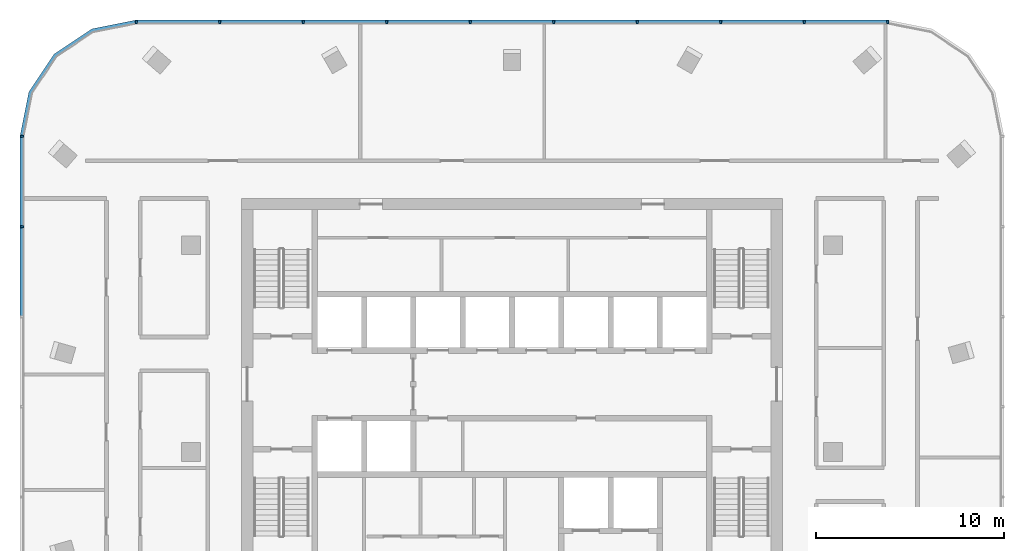
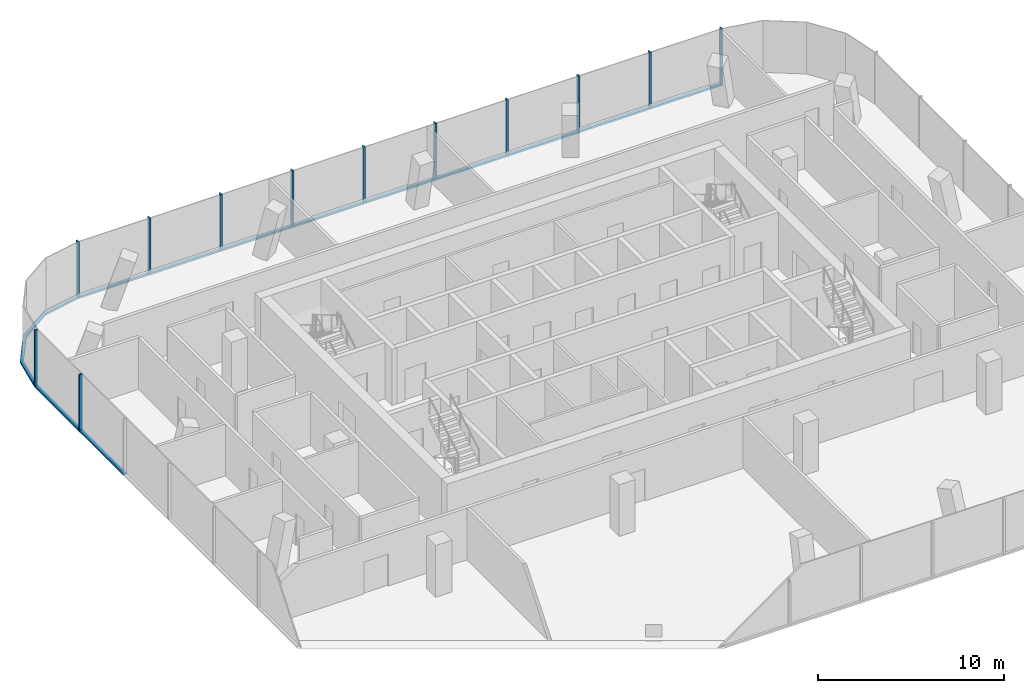
# One storey, part 4 of 11: 24 members, 3 elements without a shape of their own.
"""IFC4 building model written with IfcOpenShell, lengths in metres."""

from ifc_helpers import new_model, si_unit, direction, frame, origin, origin_2d, place, context, subcontext, project, spatial, polyline, rectangle, outline, extrude, material, material_profile, profile_set, type_object, element, aggregate, save


model = new_model("IFC4")

# Units and contexts
model_context = context("Model", 3, precision=1e-05, world=origin(), true_north=direction((0.0, 1.0)))
body_context = subcontext(model_context, "Body", "Model", "MODEL_VIEW")
ifc_project = project(units=[si_unit("LENGTHUNIT", "METRE"), si_unit("AREAUNIT", "SQUARE_METRE"), si_unit("VOLUMEUNIT", "CUBIC_METRE"), si_unit("PLANEANGLEUNIT", "RADIAN"), si_unit("MASSUNIT", "GRAM", prefix="KILO")], contexts=[model_context])

# Site, building, storey
site_placement = place(None, origin())
site = spatial("IfcSite", under=ifc_project, at=site_placement, CompositionType="ELEMENT")
building_placement = place(site_placement, origin())
building = spatial("IfcBuilding", under=site, at=building_placement, Name="Mopane Tessera Tower", CompositionType="ELEMENT")
storey_placement = place(building_placement, frame((0.0, 0.0, 333.39990234375)))
storey = spatial("IfcBuildingStorey", under=building, at=storey_placement, Name="L73", CompositionType="ELEMENT", Elevation=333.39990234375)

# Curtain wall, members
ifc_material_1 = material(Name="Aluminium frame", Category="aluminium")
curtain_wall_type = type_object("IfcCurtainWallType", Name="Unitised curtain wall", PredefinedType="NOTDEFINED", material=ifc_material_1)
curtain_wall_1_placement = place(storey_placement, origin())
curtain_wall_1 = element("IfcCurtainWall", 1, at=curtain_wall_1_placement, inside=storey, type_object=curtain_wall_type, Name="e:cw:L73:N:0", PredefinedType="NOTDEFINED")
ifc_material_2 = material(Name="Aluminium frame", Category="aluminium")
ifc_material_profile_1 = material_profile(ifc_material_2, rectangle(XDim=0.10009765625, YDim=0.199951171875, at=origin_2d()))
ifc_profile_set_1 = profile_set([ifc_material_profile_1], Name="Aluminium frame")
member_type_1 = type_object("IfcMemberType", Name="Aluminium mullion 100 x 200", PredefinedType="MULLION", material=ifc_profile_set_1)
member_1_placement = place(storey_placement, frame((20.0, 22.89990234375, -0.349853515625), z_axis=(0.0, 0.0, 1.0), x_axis=(-1.0, 0.0, 0.0)))
member_1 = element("IfcMember", 2, at=member_1_placement, type_object=member_type_1, Name="e:cw:L73:N:0:mu0", PredefinedType="MULLION", context=body_context, shape_type="SweptSolid", body=[
    extrude(rectangle(XDim=0.10009765625, YDim=0.199951171875, at=origin_2d()), origin(), (0.0, 0.0, 1.0), 3.75),
])
member_2_placement = place(storey_placement, frame((15.5556640625, 22.89990234375, -0.349853515625), z_axis=(0.0, 0.0, 1.0), x_axis=(-1.0, 0.0, 0.0)))
member_2 = element("IfcMember", 3, at=member_2_placement, type_object=member_type_1, Name="e:cw:L73:N:0:mu1", PredefinedType="MULLION", context=body_context, shape_type="SweptSolid", body=[
    extrude(rectangle(XDim=0.10009765625, YDim=0.199951171875, at=origin_2d()), origin(), (0.0, 0.0, 1.0), 3.75),
])
member_3_placement = place(storey_placement, frame((11.111083984375, 22.89990234375, -0.349853515625), z_axis=(0.0, 0.0, 1.0), x_axis=(-1.0, 0.0, 0.0)))
member_3 = element("IfcMember", 4, at=member_3_placement, type_object=member_type_1, Name="e:cw:L73:N:0:mu2", PredefinedType="MULLION", context=body_context, shape_type="SweptSolid", body=[
    extrude(rectangle(XDim=0.10009765625, YDim=0.199951171875, at=origin_2d()), origin(), (0.0, 0.0, 1.0), 3.75),
])
member_4_placement = place(storey_placement, frame((6.666748046875, 22.89990234375, -0.349853515625), z_axis=(0.0, 0.0, 1.0), x_axis=(-1.0, 0.0, 0.0)))
member_4 = element("IfcMember", 5, at=member_4_placement, type_object=member_type_1, Name="e:cw:L73:N:0:mu3", PredefinedType="MULLION", context=body_context, shape_type="SweptSolid", body=[
    extrude(rectangle(XDim=0.10009765625, YDim=0.199951171875, at=origin_2d()), origin(), (0.0, 0.0, 1.0), 3.75),
])
member_5_placement = place(storey_placement, frame((2.22216796875, 22.89990234375, -0.349853515625), z_axis=(0.0, 0.0, 1.0), x_axis=(-1.0, 0.0, 0.0)))
member_5 = element("IfcMember", 6, at=member_5_placement, type_object=member_type_1, Name="e:cw:L73:N:0:mu4", PredefinedType="MULLION", context=body_context, shape_type="SweptSolid", body=[
    extrude(rectangle(XDim=0.10009765625, YDim=0.199951171875, at=origin_2d()), origin(), (0.0, 0.0, 1.0), 3.75),
])
member_6_placement = place(storey_placement, frame((-2.22216796875, 22.89990234375, -0.349853515625), z_axis=(0.0, 0.0, 1.0), x_axis=(-1.0, 0.0, 0.0)))
member_6 = element("IfcMember", 7, at=member_6_placement, type_object=member_type_1, Name="e:cw:L73:N:0:mu5", PredefinedType="MULLION", context=body_context, shape_type="SweptSolid", body=[
    extrude(rectangle(XDim=0.10009765625, YDim=0.199951171875, at=origin_2d()), origin(), (0.0, 0.0, 1.0), 3.75),
])
member_7_placement = place(storey_placement, frame((-6.666748046875, 22.89990234375, -0.349853515625), z_axis=(0.0, 0.0, 1.0), x_axis=(-1.0, 0.0, 0.0)))
member_7 = element("IfcMember", 8, at=member_7_placement, type_object=member_type_1, Name="e:cw:L73:N:0:mu6", PredefinedType="MULLION", context=body_context, shape_type="SweptSolid", body=[
    extrude(rectangle(XDim=0.10009765625, YDim=0.199951171875, at=origin_2d()), origin(), (0.0, 0.0, 1.0), 3.75),
])
member_8_placement = place(storey_placement, frame((-11.111083984375, 22.89990234375, -0.349853515625), z_axis=(0.0, 0.0, 1.0), x_axis=(-1.0, 0.0, 0.0)))
member_8 = element("IfcMember", 9, at=member_8_placement, type_object=member_type_1, Name="e:cw:L73:N:0:mu7", PredefinedType="MULLION", context=body_context, shape_type="SweptSolid", body=[
    extrude(rectangle(XDim=0.10009765625, YDim=0.199951171875, at=origin_2d()), origin(), (0.0, 0.0, 1.0), 3.75),
])
member_9_placement = place(storey_placement, frame((-15.5556640625, 22.89990234375, -0.349853515625), z_axis=(0.0, 0.0, 1.0), x_axis=(-1.0, 0.0, 0.0)))
member_9 = element("IfcMember", 10, at=member_9_placement, type_object=member_type_1, Name="e:cw:L73:N:0:mu8", PredefinedType="MULLION", context=body_context, shape_type="SweptSolid", body=[
    extrude(rectangle(XDim=0.10009765625, YDim=0.199951171875, at=origin_2d()), origin(), (0.0, 0.0, 1.0), 3.75),
])
member_10_placement = place(storey_placement, frame((-20.0, 22.89990234375, -0.349853515625), z_axis=(0.0, 0.0, 1.0), x_axis=(-1.0, 0.0, 0.0)))
member_10 = element("IfcMember", 11, at=member_10_placement, type_object=member_type_1, Name="e:cw:L73:N:0:mu9", PredefinedType="MULLION", context=body_context, shape_type="SweptSolid", body=[
    extrude(rectangle(XDim=0.10009765625, YDim=0.199951171875, at=origin_2d()), origin(), (0.0, 0.0, 1.0), 3.75),
])

curtain_wall_2_placement = place(storey_placement, origin())
curtain_wall_2 = element("IfcCurtainWall", 12, at=curtain_wall_2_placement, inside=storey, type_object=curtain_wall_type, Name="e:cw:L73:W:0", PredefinedType="NOTDEFINED")
member_11_placement = place(storey_placement, frame((-26.10009765625, 16.800048828125, -0.349853515625), z_axis=(0.0, 0.0, 1.0), x_axis=(0.0, -1.0, 0.0)))
member_11 = element("IfcMember", 13, at=member_11_placement, type_object=member_type_1, Name="e:cw:L73:W:0:mu0", PredefinedType="MULLION", context=body_context, shape_type="SweptSolid", body=[
    extrude(rectangle(XDim=0.10009765625, YDim=0.199951171875, at=origin_2d()), origin(), (0.0, 0.0, 1.0), 3.75),
])
member_12_placement = place(storey_placement, frame((-26.10009765625, 12.0, -0.349853515625), z_axis=(0.0, 0.0, 1.0), x_axis=(0.0, -1.0, 0.0)))
member_12 = element("IfcMember", 14, at=member_12_placement, type_object=member_type_1, Name="e:cw:L73:W:0:mu1", PredefinedType="MULLION", context=body_context, shape_type="SweptSolid", body=[
    extrude(rectangle(XDim=0.10009765625, YDim=0.199951171875, at=origin_2d()), origin(), (0.0, 0.0, 1.0), 3.75),
])

# Member
ifc_material_3 = material(Name="Aluminium frame", Category="aluminium")
ifc_material_profile_2 = material_profile(ifc_material_3, rectangle(XDim=0.199951171875, YDim=0.1201171875, at=origin_2d()))
ifc_profile_set_2 = profile_set([ifc_material_profile_2], Name="Aluminium frame")
member_type_2 = type_object("IfcMemberType", Name="Aluminium transom 200 x 120", PredefinedType="USERDEFINED", material=ifc_profile_set_2)
member_13_placement = place(storey_placement, frame((19.949951171875, 22.89990234375, -0.289794921875), z_axis=(-1.0, 0.0, 0.0), x_axis=(0.0, -1.0, 0.0)))
member_13 = element("IfcMember", 15, at=member_13_placement, type_object=member_type_2, Name="e:cw:L73:N:0:tr0", ObjectType="TRANSOM", PredefinedType="USERDEFINED", context=body_context, shape_type="SweptSolid", body=[
    extrude(rectangle(XDim=0.199951171875, YDim=0.1201171875, at=origin_2d()), origin(), (0.0, 0.0, 1.0), 4.344482421875),
])

member_14_placement = place(storey_placement, frame((15.505615234375, 22.89990234375, -0.289794921875), z_axis=(-1.0, 0.0, 0.0), x_axis=(0.0, -1.0, 0.0)))
member_14 = element("IfcMember", 16, at=member_14_placement, type_object=member_type_2, Name="e:cw:L73:N:0:tr1", ObjectType="TRANSOM", PredefinedType="USERDEFINED", context=body_context, shape_type="SweptSolid", body=[
    extrude(rectangle(XDim=0.199951171875, YDim=0.1201171875, at=origin_2d()), origin(), (0.0, 0.0, 1.0), 4.344482421875),
])

member_15_placement = place(storey_placement, frame((11.06103515625, 22.89990234375, -0.289794921875), z_axis=(-1.0, 0.0, 0.0), x_axis=(0.0, -1.0, 0.0)))
member_15 = element("IfcMember", 17, at=member_15_placement, type_object=member_type_2, Name="e:cw:L73:N:0:tr2", ObjectType="TRANSOM", PredefinedType="USERDEFINED", context=body_context, shape_type="SweptSolid", body=[
    extrude(rectangle(XDim=0.199951171875, YDim=0.1201171875, at=origin_2d()), origin(), (0.0, 0.0, 1.0), 4.344482421875),
])

member_16_placement = place(storey_placement, frame((6.61669921875, 22.89990234375, -0.289794921875), z_axis=(-1.0, 0.0, 0.0), x_axis=(0.0, -1.0, 0.0)))
member_16 = element("IfcMember", 18, at=member_16_placement, type_object=member_type_2, Name="e:cw:L73:N:0:tr3", ObjectType="TRANSOM", PredefinedType="USERDEFINED", context=body_context, shape_type="SweptSolid", body=[
    extrude(rectangle(XDim=0.199951171875, YDim=0.1201171875, at=origin_2d()), origin(), (0.0, 0.0, 1.0), 4.344482421875),
])

member_17_placement = place(storey_placement, frame((2.172119140625, 22.89990234375, -0.289794921875), z_axis=(-1.0, 0.0, 0.0), x_axis=(0.0, -1.0, 0.0)))
member_17 = element("IfcMember", 19, at=member_17_placement, type_object=member_type_2, Name="e:cw:L73:N:0:tr4", ObjectType="TRANSOM", PredefinedType="USERDEFINED", context=body_context, shape_type="SweptSolid", body=[
    extrude(rectangle(XDim=0.199951171875, YDim=0.1201171875, at=origin_2d()), origin(), (0.0, 0.0, 1.0), 4.34423828125),
])

member_18_placement = place(storey_placement, frame((-2.272216796875, 22.89990234375, -0.289794921875), z_axis=(-1.0, 0.0, 0.0), x_axis=(0.0, -1.0, 0.0)))
member_18 = element("IfcMember", 20, at=member_18_placement, type_object=member_type_2, Name="e:cw:L73:N:0:tr5", ObjectType="TRANSOM", PredefinedType="USERDEFINED", context=body_context, shape_type="SweptSolid", body=[
    extrude(rectangle(XDim=0.199951171875, YDim=0.1201171875, at=origin_2d()), origin(), (0.0, 0.0, 1.0), 4.344482421875),
])

member_19_placement = place(storey_placement, frame((-6.716552734375, 22.89990234375, -0.289794921875), z_axis=(-1.0, 0.0, 0.0), x_axis=(0.0, -1.0, 0.0)))
member_19 = element("IfcMember", 21, at=member_19_placement, type_object=member_type_2, Name="e:cw:L73:N:0:tr6", ObjectType="TRANSOM", PredefinedType="USERDEFINED", context=body_context, shape_type="SweptSolid", body=[
    extrude(rectangle(XDim=0.199951171875, YDim=0.1201171875, at=origin_2d()), origin(), (0.0, 0.0, 1.0), 4.344482421875),
])

member_20_placement = place(storey_placement, frame((-11.1611328125, 22.89990234375, -0.289794921875), z_axis=(-1.0, 0.0, 0.0), x_axis=(0.0, -1.0, 0.0)))
member_20 = element("IfcMember", 22, at=member_20_placement, type_object=member_type_2, Name="e:cw:L73:N:0:tr7", ObjectType="TRANSOM", PredefinedType="USERDEFINED", context=body_context, shape_type="SweptSolid", body=[
    extrude(rectangle(XDim=0.199951171875, YDim=0.1201171875, at=origin_2d()), origin(), (0.0, 0.0, 1.0), 4.344482421875),
])

member_21_placement = place(storey_placement, frame((-15.60546875, 22.89990234375, -0.289794921875), z_axis=(-1.0, 0.0, 0.0), x_axis=(0.0, -1.0, 0.0)))
member_21 = element("IfcMember", 23, at=member_21_placement, type_object=member_type_2, Name="e:cw:L73:N:0:tr8", ObjectType="TRANSOM", PredefinedType="USERDEFINED", context=body_context, shape_type="SweptSolid", body=[
    extrude(rectangle(XDim=0.199951171875, YDim=0.1201171875, at=origin_2d()), origin(), (0.0, 0.0, 1.0), 4.344482421875),
])

aggregate(curtain_wall_1, [member_1, member_2, member_3, member_4, member_5, member_6, member_7, member_8, member_9, member_10, member_13, member_14, member_15, member_16, member_17, member_18, member_19, member_20, member_21])

# Curtain wall, member
curtain_wall_3_placement = place(storey_placement, origin())
curtain_wall_3 = element("IfcCurtainWall", 24, at=curtain_wall_3_placement, inside=storey, type_object=curtain_wall_type, Name="e:cw:L73:CN", PredefinedType="NOTDEFINED")
member_22_placement = place(storey_placement, frame((0.0, 0.0, -0.349853515625)))
member_22 = element("IfcMember", 25, at=member_22_placement, type_object=member_type_2, Name="e:cw:L73:CN:tr", ObjectType="TRANSOM", PredefinedType="USERDEFINED", context=body_context, shape_type="SweptSolid", body=[
    extrude(outline(polyline([(-20.0, 22.800048828125), (-22.296142578125, 22.34326171875), (-24.24267578125, 21.042724609375), (-25.543212890625, 19.09619140625), (-26.0, 16.800048828125), (-26.199951171875, 16.800048828125), (-25.72802734375, 19.172607421875), (-24.384033203125, 21.18408203125), (-22.37255859375, 22.528076171875), (-20.0, 23.0), (-20.0, 22.800048828125)])), origin(), (0.0, 0.0, 1.0), 0.119873046875),
])
aggregate(curtain_wall_3, [member_22])

# Member
member_23_placement = place(storey_placement, frame((-26.10009765625, 16.75, -0.289794921875), z_axis=(0.0, -1.0, 0.0), x_axis=(1.0, 0.0, 0.0)))
member_23 = element("IfcMember", 26, at=member_23_placement, type_object=member_type_2, Name="e:cw:L73:W:0:tr0", ObjectType="TRANSOM", PredefinedType="USERDEFINED", context=body_context, shape_type="SweptSolid", body=[
    extrude(rectangle(XDim=0.199951171875, YDim=0.1201171875, at=origin_2d()), origin(), (0.0, 0.0, 1.0), 4.699951171875),
])

member_24_placement = place(storey_placement, frame((-26.10009765625, 11.949951171875, -0.289794921875), z_axis=(0.0, -1.0, 0.0), x_axis=(1.0, 0.0, 0.0)))
member_24 = element("IfcMember", 27, at=member_24_placement, type_object=member_type_2, Name="e:cw:L73:W:0:tr1", ObjectType="TRANSOM", PredefinedType="USERDEFINED", context=body_context, shape_type="SweptSolid", body=[
    extrude(rectangle(XDim=0.199951171875, YDim=0.1201171875, at=origin_2d()), origin(), (0.0, 0.0, 1.0), 4.699951171875),
])

aggregate(curtain_wall_2, [member_11, member_12, member_23, member_24])

save(model, "model.ifc")
